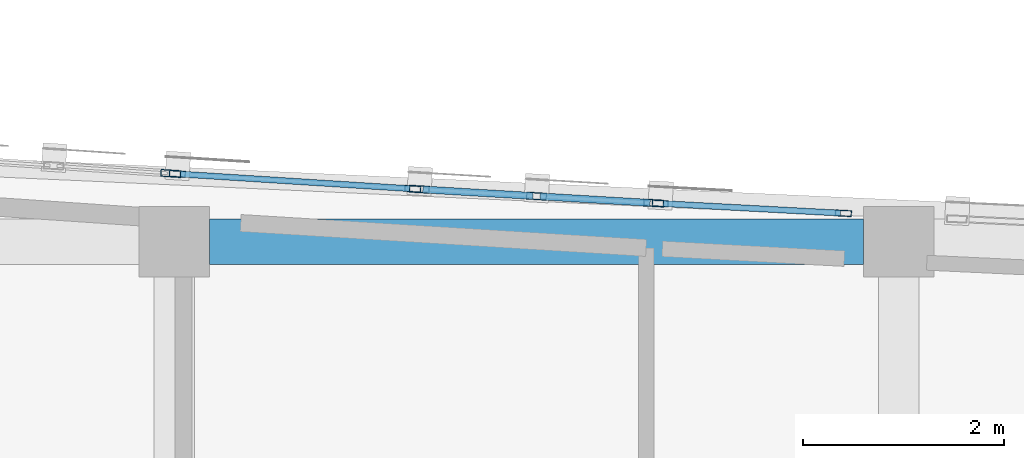
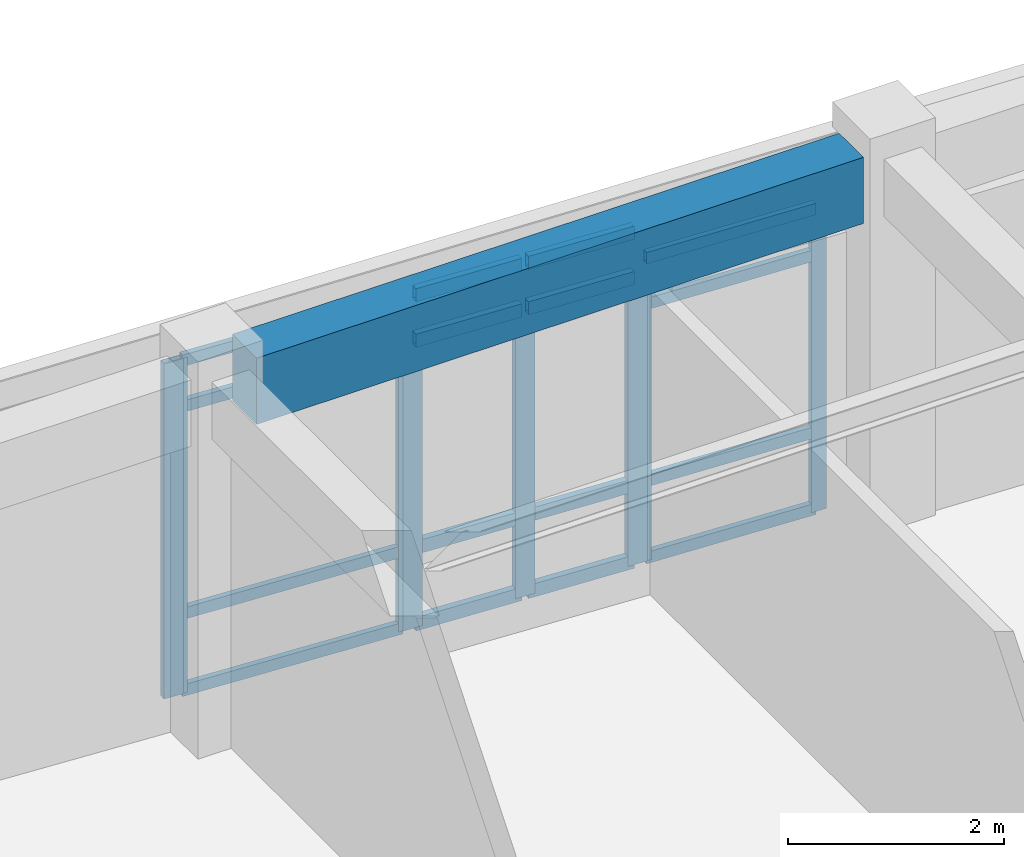
# One storey, part 55 of 106: 24 members, 1 beam, 4 elements without a shape of their own.
"""IFC4 building model written with IfcOpenShell, lengths in metres."""

from ifc_helpers import new_model, si_unit, direction, frame, origin, origin_2d, place, context, subcontext, project, spatial, rectangle, hollow_rectangle, extrude, material, layer, layer_set, material_profile, profile_set, type_object, element, aggregate, save


model = new_model("IFC4")

# Units and contexts
model_context = context("Model", 3, precision=1e-05, world=origin(), true_north=direction((0.0, 1.0)))
body_context = subcontext(model_context, "Body", "Model", "MODEL_VIEW")
ifc_project = project(units=[si_unit("LENGTHUNIT", "METRE"), si_unit("AREAUNIT", "SQUARE_METRE"), si_unit("VOLUMEUNIT", "CUBIC_METRE"), si_unit("PLANEANGLEUNIT", "RADIAN"), si_unit("MASSUNIT", "GRAM", prefix="KILO")], contexts=[model_context])

# Site, building, storey
site_placement = place(None, origin())
site = spatial("IfcSite", under=ifc_project, at=site_placement, CompositionType="ELEMENT")
building_placement = place(site_placement, origin())
building = spatial("IfcBuilding", under=site, at=building_placement, Name="Carrowvane Square Congress Hotel", CompositionType="ELEMENT")
storey_placement = place(building_placement, frame((0.0, 0.0, 10.5)))
storey = spatial("IfcBuildingStorey", under=building, at=storey_placement, Name="L02", CompositionType="ELEMENT", Elevation=10.5)

# Beam
ifc_material_1 = material(Name="Concrete C35/45", Category="concrete")
ifc_material_profile_1 = material_profile(ifc_material_1, rectangle(XDim=0.449951171875, YDim=0.75, at=origin_2d()), Name="RC 450x750")
ifc_profile_set_1 = profile_set([ifc_material_profile_1], Name="Concrete C35/45")
beam_type = type_object("IfcBeamType", Name="BM-RC-450x750", PredefinedType="USERDEFINED", material=ifc_profile_set_1)
beam_placement = place(storey_placement, frame((148.75, 113.39990234375, 3.844970703125), z_axis=(1.0, 0.0, 0.0), x_axis=(0.0, 1.0, 0.0)))
element("IfcBeam", 1, at=beam_placement, inside=storey, type_object=beam_type, Name="L03 girder R/20-21", ObjectType="GIRDER", PredefinedType="USERDEFINED", context=body_context, shape_type="SweptSolid", body=[
    extrude(rectangle(XDim=0.449951171875, YDim=0.75, at=origin_2d()), origin(), (0.0, 0.0, 1.0), 6.5),
])

# Curtain wall, members
ifc_material_2 = material(Name="Anodised aluminium", Category="aluminium")
ifc_layer_1 = layer(ifc_material_2, 0.162109375)
ifc_layer_set_1 = layer_set([ifc_layer_1], Name="Anodised aluminium")
curtain_wall_type_1 = type_object("IfcCurtainWallType", Name="CW-SYS-1", PredefinedType="NOTDEFINED", material=ifc_layer_set_1)
curtain_wall_1_placement = place(storey_placement, origin())
curtain_wall_1 = element("IfcCurtainWall", 2, at=curtain_wall_1_placement, inside=storey, type_object=curtain_wall_type_1, Name="L02 unitised curtain wall 176", PredefinedType="NOTDEFINED")
ifc_material_3 = material(Name="Anodised aluminium", Category="aluminium")
ifc_material_profile_2 = material_profile(ifc_material_3, hollow_rectangle(XDim=0.06005859375, YDim=0.159912109375, WallThickness=0.00390625, at=origin_2d()), Name="CW-ML 60x160x4")
ifc_profile_set_2 = profile_set([ifc_material_profile_2], Name="Anodised aluminium")
member_type_1 = type_object("IfcMemberType", Name="CW-MUL-1", PredefinedType="MULLION", material=ifc_profile_set_2)
member_1_placement = place(storey_placement, frame((148.429931640625, 114.073486328125, 0.0), z_axis=(0.0, 0.0, 1.0), x_axis=(0.063273487972, 0.997996225303, 0.0)))
member_1 = element("IfcMember", 3, at=member_1_placement, type_object=member_type_1, Name="CW-1 mullion 1", PredefinedType="MULLION", context=body_context, shape_type="SweptSolid", body=[
    extrude(hollow_rectangle(XDim=0.06005859375, YDim=0.159912109375, WallThickness=0.00390625, at=origin_2d()), origin(), (0.0, 0.0, 1.0), 3.795654296875),
])
member_2_placement = place(storey_placement, frame((150.77001953125, 113.925048828125, 0.0), z_axis=(0.0, 0.0, 1.0), x_axis=(0.063273487972, 0.997996225303, 0.0)))
member_2 = element("IfcMember", 4, at=member_2_placement, type_object=member_type_1, Name="CW-1 mullion 2", PredefinedType="MULLION", context=body_context, shape_type="SweptSolid", body=[
    extrude(hollow_rectangle(XDim=0.06005859375, YDim=0.159912109375, WallThickness=0.00390625, at=origin_2d()), origin(), (0.0, 0.0, 1.0), 3.795654296875),
])

ifc_material_4 = material(Name="Anodised aluminium", Category="aluminium")
ifc_layer_2 = layer(ifc_material_4, 0.18603515625)
ifc_layer_set_2 = layer_set([ifc_layer_2], Name="Anodised aluminium")
curtain_wall_type_2 = type_object("IfcCurtainWallType", Name="CW-SYS-3", PredefinedType="NOTDEFINED", material=ifc_layer_set_2)
curtain_wall_2_placement = place(storey_placement, origin())
curtain_wall_2 = element("IfcCurtainWall", 5, at=curtain_wall_2_placement, inside=storey, type_object=curtain_wall_type_2, Name="L02 unitised curtain wall 178", PredefinedType="NOTDEFINED")
member_3_placement = place(storey_placement, frame((153.22998046875, 113.77978515625, 0.0), z_axis=(0.0, 0.0, 1.0), x_axis=(0.053517029722, 0.99856693693, 0.0)))
member_3 = element("IfcMember", 6, at=member_3_placement, type_object=member_type_1, Name="CW-3 mullion 1", PredefinedType="MULLION", context=body_context, shape_type="SweptSolid", body=[
    extrude(hollow_rectangle(XDim=0.06005859375, YDim=0.159912109375, WallThickness=0.00390625, at=origin_2d()), origin(), (0.0, 0.0, 1.0), 3.455078125),
])
member_4_placement = place(storey_placement, frame((155.051025390625, 113.68212890625, 0.0), z_axis=(0.0, 0.0, 1.0), x_axis=(0.053517029722, 0.99856693693, 0.0)))
member_4 = element("IfcMember", 7, at=member_4_placement, type_object=member_type_1, Name="CW-3 mullion 2", PredefinedType="MULLION", context=body_context, shape_type="SweptSolid", body=[
    extrude(hollow_rectangle(XDim=0.06005859375, YDim=0.159912109375, WallThickness=0.00390625, at=origin_2d()), origin(), (0.0, 0.0, 1.0), 3.455078125),
])

# Curtain wall, member
ifc_material_5 = material(Name="Anodised aluminium", Category="aluminium")
ifc_layer_3 = layer(ifc_material_5, 0.24609375)
ifc_layer_set_3 = layer_set([ifc_layer_3], Name="Anodised aluminium")
curtain_wall_type_3 = type_object("IfcCurtainWallType", Name="CW-SYS-8", PredefinedType="NOTDEFINED", material=ifc_layer_set_3)
curtain_wall_3_placement = place(storey_placement, origin())
curtain_wall_3 = element("IfcCurtainWall", 8, at=curtain_wall_3_placement, inside=storey, type_object=curtain_wall_type_3, Name="L02 unitised curtain wall 175", PredefinedType="NOTDEFINED")
ifc_material_6 = material(Name="Anodised aluminium", Category="aluminium")
ifc_material_profile_3 = material_profile(ifc_material_6, hollow_rectangle(XDim=0.070068359375, YDim=0.199951171875, WallThickness=0.0048828125, at=origin_2d()), Name="CW-ML 70x200x5")
ifc_profile_set_3 = profile_set([ifc_material_profile_3], Name="Anodised aluminium")
member_type_2 = type_object("IfcMemberType", Name="CW-MUL-2", PredefinedType="MULLION", material=ifc_profile_set_3)
member_5_placement = place(storey_placement, frame((148.364990234375, 114.07763671875, 0.0), z_axis=(0.0, 0.0, 1.0), x_axis=(0.06657392244, 0.997781495544, 0.0)))
member_5 = element("IfcMember", 9, at=member_5_placement, type_object=member_type_2, Name="CW-8 mullion 3", PredefinedType="MULLION", context=body_context, shape_type="SweptSolid", body=[
    extrude(hollow_rectangle(XDim=0.070068359375, YDim=0.199951171875, WallThickness=0.0048828125, at=origin_2d()), origin(), (0.0, 0.0, 1.0), 3.795654296875),
])
aggregate(curtain_wall_3, [member_5])

# Curtain wall, members
ifc_material_7 = material(Name="Anodised aluminium", Category="aluminium")
ifc_layer_4 = layer(ifc_material_7, 0.174072265625)
ifc_layer_set_4 = layer_set([ifc_layer_4], Name="Anodised aluminium")
curtain_wall_type_4 = type_object("IfcCurtainWallType", Name="CW-SYS-2", PredefinedType="NOTDEFINED", material=ifc_layer_set_4)
curtain_wall_4_placement = place(storey_placement, origin())
curtain_wall_4 = element("IfcCurtainWall", 10, at=curtain_wall_4_placement, inside=storey, type_object=curtain_wall_type_4, Name="L02 unitised curtain wall 177", PredefinedType="NOTDEFINED")
member_6_placement = place(storey_placement, frame((150.8349609375, 113.921142578125, 0.0), z_axis=(0.0, 0.0, 1.0), x_axis=(0.058988522254, 0.99825866099, 0.0)))
member_6 = element("IfcMember", 11, at=member_6_placement, type_object=member_type_2, Name="CW-2 mullion 1", PredefinedType="MULLION", context=body_context, shape_type="SweptSolid", body=[
    extrude(hollow_rectangle(XDim=0.070068359375, YDim=0.199951171875, WallThickness=0.0048828125, at=origin_2d()), origin(), (0.0, 0.0, 1.0), 3.795654296875),
])
member_7_placement = place(storey_placement, frame((152.0, 113.852294921875, 0.0), z_axis=(0.0, 0.0, 1.0), x_axis=(0.058988522254, 0.99825866099, 0.0)))
member_7 = element("IfcMember", 12, at=member_7_placement, type_object=member_type_2, Name="CW-2 mullion 2", PredefinedType="MULLION", context=body_context, shape_type="SweptSolid", body=[
    extrude(hollow_rectangle(XDim=0.070068359375, YDim=0.199951171875, WallThickness=0.0048828125, at=origin_2d()), origin(), (0.0, 0.0, 1.0), 3.795654296875),
])
member_8_placement = place(storey_placement, frame((153.1650390625, 113.783447265625, 0.0), z_axis=(0.0, 0.0, 1.0), x_axis=(0.058988522254, 0.99825866099, 0.0)))
member_8 = element("IfcMember", 13, at=member_8_placement, type_object=member_type_2, Name="CW-2 mullion 3", PredefinedType="MULLION", context=body_context, shape_type="SweptSolid", body=[
    extrude(hollow_rectangle(XDim=0.070068359375, YDim=0.199951171875, WallThickness=0.0048828125, at=origin_2d()), origin(), (0.0, 0.0, 1.0), 3.795654296875),
])

# Member
ifc_material_8 = material(Name="Anodised aluminium", Category="aluminium")
ifc_material_profile_4 = material_profile(ifc_material_8, hollow_rectangle(XDim=0.06005859375, YDim=0.1298828125, WallThickness=0.00390625, at=origin_2d()), Name="CW-TR 60x130x4")
ifc_profile_set_4 = profile_set([ifc_material_profile_4], Name="Anodised aluminium")
member_type_3 = type_object("IfcMemberType", Name="CW-TRN-1", PredefinedType="USERDEFINED", material=ifc_profile_set_4)
member_9_placement = place(storey_placement, frame((148.4599609375, 114.071533203125, 0.030029296875), z_axis=(0.997996883417, -0.063263106862, 0.0), x_axis=(0.063263106862, 0.997996883417, 0.0)))
member_9 = element("IfcMember", 14, at=member_9_placement, type_object=member_type_3, Name="CW-1 transom 1.1", ObjectType="TRANSOM", PredefinedType="USERDEFINED", context=body_context, shape_type="SweptSolid", body=[
    extrude(hollow_rectangle(XDim=0.06005859375, YDim=0.1298828125, WallThickness=0.00390625, at=origin_2d()), origin(), (0.0, 0.0, 1.0), 2.28466796875),
])

member_10_placement = place(storey_placement, frame((148.4599609375, 114.071533203125, 0.89990234375), z_axis=(0.997996883417, -0.063263106862, 0.0), x_axis=(0.063263106862, 0.997996883417, 0.0)))
member_10 = element("IfcMember", 15, at=member_10_placement, type_object=member_type_3, Name="CW-1 transom 1.2", ObjectType="TRANSOM", PredefinedType="USERDEFINED", context=body_context, shape_type="SweptSolid", body=[
    extrude(hollow_rectangle(XDim=0.06005859375, YDim=0.1298828125, WallThickness=0.00390625, at=origin_2d()), origin(), (0.0, 0.0, 1.0), 2.28466796875),
])

member_11_placement = place(storey_placement, frame((148.4599609375, 114.071533203125, 3.24560546875), z_axis=(0.997996883417, -0.063263106862, 0.0), x_axis=(0.063263106862, 0.997996883417, 0.0)))
member_11 = element("IfcMember", 16, at=member_11_placement, type_object=member_type_3, Name="CW-1 transom 1.3", ObjectType="TRANSOM", PredefinedType="USERDEFINED", context=body_context, shape_type="SweptSolid", body=[
    extrude(hollow_rectangle(XDim=0.06005859375, YDim=0.1298828125, WallThickness=0.00390625, at=origin_2d()), origin(), (0.0, 0.0, 1.0), 2.28466796875),
])

member_12_placement = place(storey_placement, frame((148.4599609375, 114.071533203125, 3.765625), z_axis=(0.997996883417, -0.063263106862, 0.0), x_axis=(0.063263106862, 0.997996883417, 0.0)))
member_12 = element("IfcMember", 17, at=member_12_placement, type_object=member_type_3, Name="CW-1 transom 1.4", ObjectType="TRANSOM", PredefinedType="USERDEFINED", context=body_context, shape_type="SweptSolid", body=[
    extrude(hollow_rectangle(XDim=0.06005859375, YDim=0.1298828125, WallThickness=0.00390625, at=origin_2d()), origin(), (0.0, 0.0, 1.0), 2.28466796875),
])

aggregate(curtain_wall_1, [member_1, member_2, member_9, member_10, member_11, member_12])

member_13_placement = place(storey_placement, frame((153.260009765625, 113.778076171875, 0.030029296875), z_axis=(0.998571167987, -0.053438024517, 0.0), x_axis=(0.053438024517, 0.998571167987, 0.0)))
member_13 = element("IfcMember", 18, at=member_13_placement, type_object=member_type_3, Name="CW-3 transom 1.1", ObjectType="TRANSOM", PredefinedType="USERDEFINED", context=body_context, shape_type="SweptSolid", body=[
    extrude(hollow_rectangle(XDim=0.06005859375, YDim=0.1298828125, WallThickness=0.00390625, at=origin_2d()), origin(), (0.0, 0.0, 1.0), 1.763427734375),
])

member_14_placement = place(storey_placement, frame((153.260009765625, 113.778076171875, 0.89990234375), z_axis=(0.998571167987, -0.053438024517, 0.0), x_axis=(0.053438024517, 0.998571167987, 0.0)))
member_14 = element("IfcMember", 19, at=member_14_placement, type_object=member_type_3, Name="CW-3 transom 1.2", ObjectType="TRANSOM", PredefinedType="USERDEFINED", context=body_context, shape_type="SweptSolid", body=[
    extrude(hollow_rectangle(XDim=0.06005859375, YDim=0.1298828125, WallThickness=0.00390625, at=origin_2d()), origin(), (0.0, 0.0, 1.0), 1.763427734375),
])

member_15_placement = place(storey_placement, frame((153.260009765625, 113.778076171875, 2.905029296875), z_axis=(0.998571167987, -0.053438024517, 0.0), x_axis=(0.053438024517, 0.998571167987, 0.0)))
member_15 = element("IfcMember", 20, at=member_15_placement, type_object=member_type_3, Name="CW-3 transom 1.3", ObjectType="TRANSOM", PredefinedType="USERDEFINED", context=body_context, shape_type="SweptSolid", body=[
    extrude(hollow_rectangle(XDim=0.06005859375, YDim=0.1298828125, WallThickness=0.00390625, at=origin_2d()), origin(), (0.0, 0.0, 1.0), 1.763427734375),
])

member_16_placement = place(storey_placement, frame((153.260009765625, 113.778076171875, 3.425048828125), z_axis=(0.998571167987, -0.053438024517, 0.0), x_axis=(0.053438024517, 0.998571167987, 0.0)))
member_16 = element("IfcMember", 21, at=member_16_placement, type_object=member_type_3, Name="CW-3 transom 1.4", ObjectType="TRANSOM", PredefinedType="USERDEFINED", context=body_context, shape_type="SweptSolid", body=[
    extrude(hollow_rectangle(XDim=0.06005859375, YDim=0.1298828125, WallThickness=0.00390625, at=origin_2d()), origin(), (0.0, 0.0, 1.0), 1.763427734375),
])

aggregate(curtain_wall_2, [member_3, member_4, member_13, member_14, member_15, member_16])

ifc_material_9 = material(Name="Anodised aluminium", Category="aluminium")
ifc_material_profile_5 = material_profile(ifc_material_9, hollow_rectangle(XDim=0.070068359375, YDim=0.14990234375, WallThickness=0.0048828125, at=origin_2d()), Name="CW-TR 70x150x5")
ifc_profile_set_5 = profile_set([ifc_material_profile_5], Name="Anodised aluminium")
member_type_4 = type_object("IfcMemberType", Name="CW-TRN-2", PredefinedType="USERDEFINED", material=ifc_profile_set_5)
member_17_placement = place(storey_placement, frame((150.869873046875, 113.9189453125, 0.034912109375), z_axis=(0.998259762999, -0.058969870084, 0.0), x_axis=(0.058969870084, 0.998259762999, 0.0)))
member_17 = element("IfcMember", 22, at=member_17_placement, type_object=member_type_4, Name="CW-2 transom 1.1", ObjectType="TRANSOM", PredefinedType="USERDEFINED", context=body_context, shape_type="SweptSolid", body=[
    extrude(hollow_rectangle(XDim=0.070068359375, YDim=0.14990234375, WallThickness=0.0048828125, at=origin_2d()), origin(), (0.0, 0.0, 1.0), 1.09716796875),
])

member_18_placement = place(storey_placement, frame((150.869873046875, 113.9189453125, 0.89990234375), z_axis=(0.998259762999, -0.058969870084, 0.0), x_axis=(0.058969870084, 0.998259762999, 0.0)))
member_18 = element("IfcMember", 23, at=member_18_placement, type_object=member_type_4, Name="CW-2 transom 1.2", ObjectType="TRANSOM", PredefinedType="USERDEFINED", context=body_context, shape_type="SweptSolid", body=[
    extrude(hollow_rectangle(XDim=0.070068359375, YDim=0.14990234375, WallThickness=0.0048828125, at=origin_2d()), origin(), (0.0, 0.0, 1.0), 1.09716796875),
])

member_19_placement = place(storey_placement, frame((150.869873046875, 113.9189453125, 3.24560546875), z_axis=(0.998259762999, -0.058969870084, 0.0), x_axis=(0.058969870084, 0.998259762999, 0.0)))
member_19 = element("IfcMember", 24, at=member_19_placement, type_object=member_type_4, Name="CW-2 transom 1.3", ObjectType="TRANSOM", PredefinedType="USERDEFINED", context=body_context, shape_type="SweptSolid", body=[
    extrude(hollow_rectangle(XDim=0.070068359375, YDim=0.14990234375, WallThickness=0.0048828125, at=origin_2d()), origin(), (0.0, 0.0, 1.0), 1.09716796875),
])

member_20_placement = place(storey_placement, frame((150.869873046875, 113.9189453125, 3.760498046875), z_axis=(0.998259762999, -0.058969870084, 0.0), x_axis=(0.058969870084, 0.998259762999, 0.0)))
member_20 = element("IfcMember", 25, at=member_20_placement, type_object=member_type_4, Name="CW-2 transom 1.4", ObjectType="TRANSOM", PredefinedType="USERDEFINED", context=body_context, shape_type="SweptSolid", body=[
    extrude(hollow_rectangle(XDim=0.070068359375, YDim=0.14990234375, WallThickness=0.0048828125, at=origin_2d()), origin(), (0.0, 0.0, 1.0), 1.09716796875),
])

member_21_placement = place(storey_placement, frame((152.034912109375, 113.85009765625, 0.034912109375), z_axis=(0.998259762999, -0.058969870084, 0.0), x_axis=(0.058969870084, 0.998259762999, 0.0)))
member_21 = element("IfcMember", 26, at=member_21_placement, type_object=member_type_4, Name="CW-2 transom 2.1", ObjectType="TRANSOM", PredefinedType="USERDEFINED", context=body_context, shape_type="SweptSolid", body=[
    extrude(hollow_rectangle(XDim=0.070068359375, YDim=0.14990234375, WallThickness=0.0048828125, at=origin_2d()), origin(), (0.0, 0.0, 1.0), 1.09716796875),
])

member_22_placement = place(storey_placement, frame((152.034912109375, 113.85009765625, 0.89990234375), z_axis=(0.998259762999, -0.058969870084, 0.0), x_axis=(0.058969870084, 0.998259762999, 0.0)))
member_22 = element("IfcMember", 27, at=member_22_placement, type_object=member_type_4, Name="CW-2 transom 2.2", ObjectType="TRANSOM", PredefinedType="USERDEFINED", context=body_context, shape_type="SweptSolid", body=[
    extrude(hollow_rectangle(XDim=0.070068359375, YDim=0.14990234375, WallThickness=0.0048828125, at=origin_2d()), origin(), (0.0, 0.0, 1.0), 1.09716796875),
])

member_23_placement = place(storey_placement, frame((152.034912109375, 113.85009765625, 3.24560546875), z_axis=(0.998259762999, -0.058969870084, 0.0), x_axis=(0.058969870084, 0.998259762999, 0.0)))
member_23 = element("IfcMember", 28, at=member_23_placement, type_object=member_type_4, Name="CW-2 transom 2.3", ObjectType="TRANSOM", PredefinedType="USERDEFINED", context=body_context, shape_type="SweptSolid", body=[
    extrude(hollow_rectangle(XDim=0.070068359375, YDim=0.14990234375, WallThickness=0.0048828125, at=origin_2d()), origin(), (0.0, 0.0, 1.0), 1.09716796875),
])

member_24_placement = place(storey_placement, frame((152.034912109375, 113.85009765625, 3.760498046875), z_axis=(0.998259762999, -0.058969870084, 0.0), x_axis=(0.058969870084, 0.998259762999, 0.0)))
member_24 = element("IfcMember", 29, at=member_24_placement, type_object=member_type_4, Name="CW-2 transom 2.4", ObjectType="TRANSOM", PredefinedType="USERDEFINED", context=body_context, shape_type="SweptSolid", body=[
    extrude(hollow_rectangle(XDim=0.070068359375, YDim=0.14990234375, WallThickness=0.0048828125, at=origin_2d()), origin(), (0.0, 0.0, 1.0), 1.09716796875),
])

aggregate(curtain_wall_4, [member_6, member_7, member_8, member_17, member_18, member_19, member_20, member_21, member_22, member_23, member_24])

save(model, "model.ifc")
